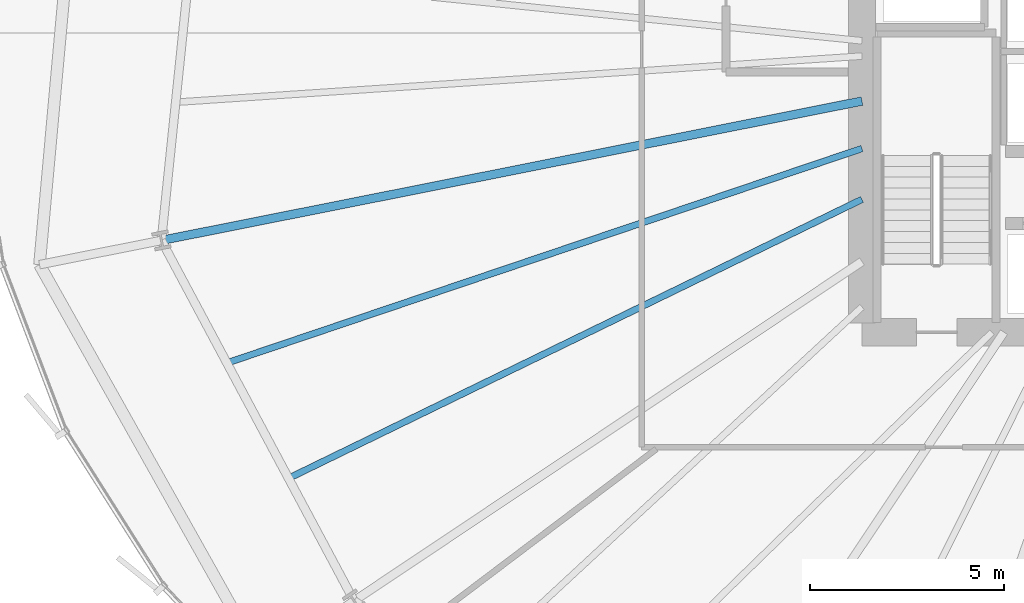
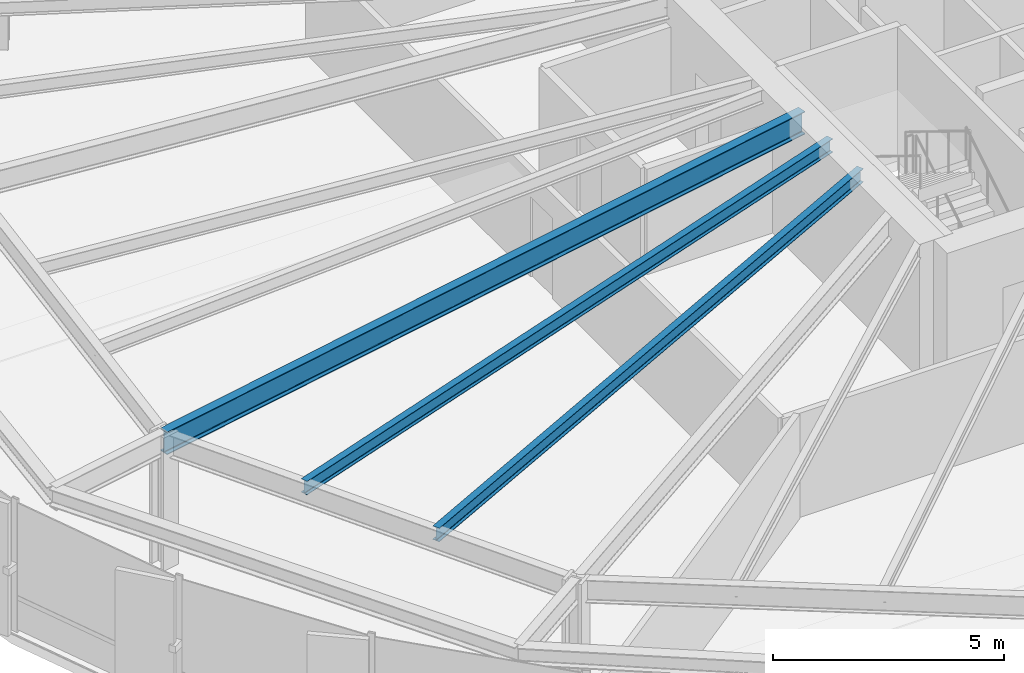
# One storey, part 8 of 39: 3 beams.
"""IFC4 building model written with IfcOpenShell, lengths in metres."""

from ifc_helpers import new_model, si_unit, direction, frame, origin, origin_2d, place, context, subcontext, project, spatial, i_section, extrude, source, transform, mapped, material, material_profile, profile_set, type_object, element, save


model = new_model("IFC4")

# Units and contexts
model_context = context("Model", 3, precision=1e-05, world=origin(), true_north=direction((0.0, 1.0)))
body_context = subcontext(model_context, "Body", "Model", "MODEL_VIEW")
ifc_project = project(units=[si_unit("LENGTHUNIT", "METRE"), si_unit("AREAUNIT", "SQUARE_METRE"), si_unit("VOLUMEUNIT", "CUBIC_METRE"), si_unit("PLANEANGLEUNIT", "RADIAN"), si_unit("MASSUNIT", "GRAM", prefix="KILO"), si_unit("THERMODYNAMICTEMPERATUREUNIT", "KELVIN")], contexts=[model_context])

# Site, building, storey
site_placement = place(None, origin())
site = spatial("IfcSite", under=ifc_project, at=site_placement, CompositionType="ELEMENT")
building_placement = place(site_placement, origin())
building = spatial("IfcBuilding", under=site, at=building_placement, Name="Kethvar Cultural Tower", CompositionType="ELEMENT")
storey_placement = place(building_placement, frame((0.0, 0.0, 41.0)))
storey = spatial("IfcBuildingStorey", under=building, at=storey_placement, Name="L09", CompositionType="ELEMENT", Elevation=41.0)

# Beams
ifc_material = material(Name="Steel S355J2", Category="steel")
ifc_material_profile_1 = material_profile(ifc_material, i_section(OverallWidth=0.219970703125, OverallDepth=0.60009765625, WebThickness=0.011962890625, FlangeThickness=0.01904296875, FilletRadius=0.02392578125, at=origin_2d()), Name="Steel S355J2 — IPE600")
ifc_profile_set_1 = profile_set([ifc_material_profile_1], Name="Steel S355J2 — IPE600")
beam_type_1 = type_object("IfcBeamType", Name="BM-IPE600", PredefinedType="BEAM", material=ifc_profile_set_1)
shared_shape_1 = source(origin(), body_context, "Body", "SweptSolid", [
    extrude(i_section(OverallWidth=0.219970703125, OverallDepth=0.60009765625, WebThickness=0.011962890625, FlangeThickness=0.01904296875, FilletRadius=0.02392578125, at=origin_2d()), origin(), (0.0, 0.0, 1.0), 18.387451171875),
])
beam_1_placement = place(storey_placement, frame((38.0, 26.049560546875, 3.248046875), z_axis=(-0.980785937774, -0.195087017162, 0.0), x_axis=(0.195087017162, -0.980785937774, 0.0)))
element("IfcBeam", 1, at=beam_1_placement, inside=storey, type_object=beam_type_1, Name="L09 Primary Radial Beam RB-09", PredefinedType="BEAM", context=body_context, shape_type="MappedRepresentation", body=[
    mapped(shared_shape_1, transform((0.0, 0.0, 0.0), scale=1.0)),
])
ifc_material_profile_2 = material_profile(ifc_material, i_section(OverallWidth=0.169921875, OverallDepth=0.360107421875, WebThickness=0.008056640625, FlangeThickness=0.0126953125, FilletRadius=0.01806640625, at=origin_2d()), Name="Steel S355J2 — IPE360")
ifc_profile_set_2 = profile_set([ifc_material_profile_2], Name="Steel S355J2 — IPE360")
beam_type_2 = type_object("IfcBeamType", Name="BM-J360", PredefinedType="JOIST", material=ifc_profile_set_2)
shared_shape_2 = source(origin(), body_context, "Body", "SweptSolid", [
    extrude(i_section(OverallWidth=0.169921875, OverallDepth=0.360107421875, WebThickness=0.008056640625, FlangeThickness=0.0126953125, FilletRadius=0.01806640625, at=origin_2d()), origin(), (0.0, 0.0, 1.0), 17.255126953125),
])
beam_2_placement = place(storey_placement, frame((38.0, 24.828369140625, 3.367919921875), z_axis=(-0.947435140552, -0.319947893332, 0.0), x_axis=(0.319947893332, -0.947435140552, 0.0)))
element("IfcBeam", 2, at=beam_2_placement, inside=storey, type_object=beam_type_2, Name="L09 Composite Floor Joist J-09A", PredefinedType="JOIST", context=body_context, shape_type="MappedRepresentation", body=[
    mapped(shared_shape_2, transform((0.0, 0.0, 0.0), scale=1.0)),
])
shared_shape_3 = source(origin(), body_context, "Body", "SweptSolid", [
    extrude(i_section(OverallWidth=0.169921875, OverallDepth=0.360107421875, WebThickness=0.008056640625, FlangeThickness=0.0126953125, FilletRadius=0.01806640625, at=origin_2d()), origin(), (0.0, 0.0, 1.0), 16.4150390625),
])
beam_3_placement = place(storey_placement, frame((38.0, 23.51904296875, 3.367919921875), z_axis=(-0.899246473736, -0.437442315595, 0.0), x_axis=(0.437442315595, -0.899246473736, 0.0)))
element("IfcBeam", 3, at=beam_3_placement, inside=storey, type_object=beam_type_2, Name="L09 Composite Floor Joist J-09B", PredefinedType="JOIST", context=body_context, shape_type="MappedRepresentation", body=[
    mapped(shared_shape_3, transform((0.0, 0.0, 0.0), scale=1.0)),
])

save(model, "model.ifc")
